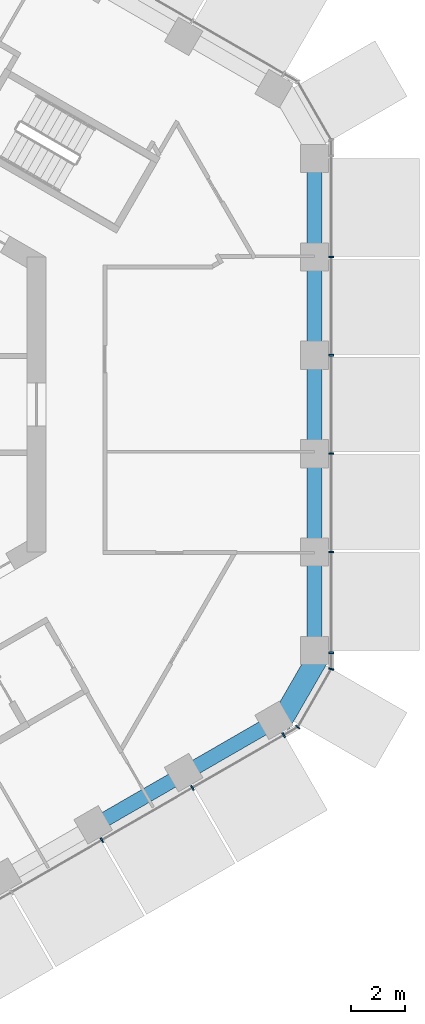
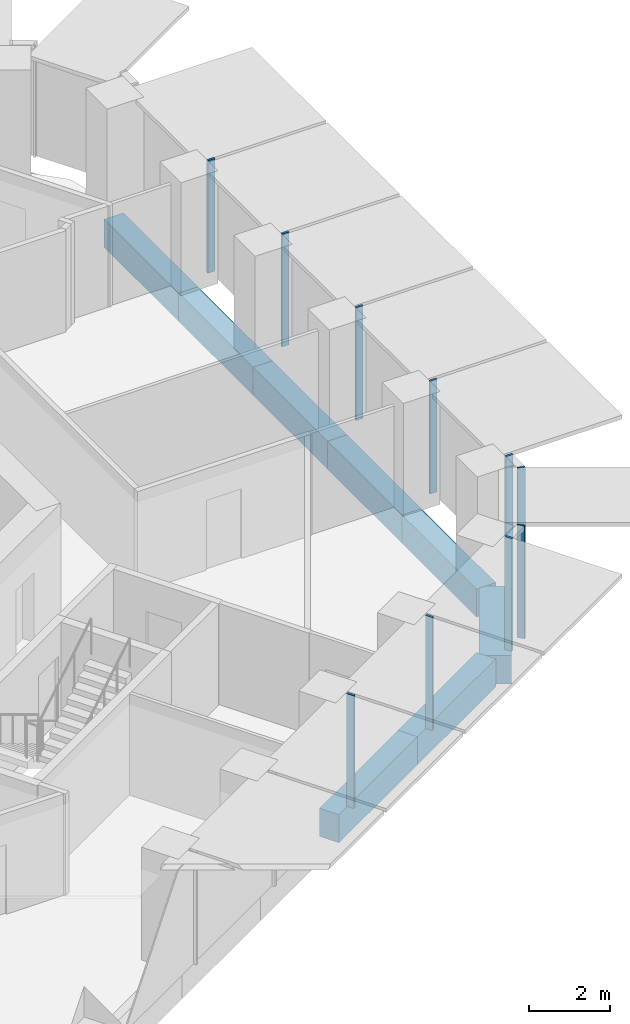
# One storey, part 5 of 19: 10 members, 8 beams, 3 elements without a shape of their own.
"""IFC4 building model written with IfcOpenShell, lengths in metres."""

from ifc_helpers import new_model, si_unit, direction, frame, origin, origin_2d, place, context, subcontext, project, spatial, rectangle, extrude, material, layer, layer_set, material_profile, profile_set, type_object, element, aggregate, save


model = new_model("IFC4")

# Units and contexts
model_context = context("Model", 3, precision=1e-05, world=origin(), true_north=direction((0.0, 1.0)))
body_context = subcontext(model_context, "Body", "Model", "MODEL_VIEW")
ifc_project = project(units=[si_unit("LENGTHUNIT", "METRE"), si_unit("AREAUNIT", "SQUARE_METRE"), si_unit("VOLUMEUNIT", "CUBIC_METRE"), si_unit("PLANEANGLEUNIT", "RADIAN"), si_unit("MASSUNIT", "GRAM", prefix="KILO")], contexts=[model_context])

# Site, building, storey
site_placement = place(None, origin())
site = spatial("IfcSite", under=ifc_project, at=site_placement, CompositionType="ELEMENT")
building_placement = place(site_placement, origin())
building = spatial("IfcBuilding", under=site, at=building_placement, Name="Ayvan Gate Tower", CompositionType="ELEMENT")
storey_placement = place(building_placement, frame((0.0, 0.0, 100.10009765625)))
storey = spatial("IfcBuildingStorey", under=building, at=storey_placement, Name="L26", CompositionType="ELEMENT", Elevation=100.10009765625)

# Beams
ifc_material_1 = material(Name="Concrete C40/50", Category="concrete")
ifc_material_profile_1 = material_profile(ifc_material_1, rectangle(XDim=0.800048828125, YDim=0.85009765625, at=origin_2d()), Name="RC 800x850")
ifc_profile_set_1 = profile_set([ifc_material_profile_1], Name="Concrete C40/50")
beam_type_1 = type_object("IfcBeamType", Name="Corner spandrel beam RC 800x850 C40/50", PredefinedType="BEAM", material=ifc_profile_set_1)
beam_1_placement = place(storey_placement, frame((18.176025390625, -11.89892578125, -0.775146484375), z_axis=(0.50002537861, 0.866010750942, 0.0), x_axis=(-0.866010750942, 0.50002537861, 0.0)))
element("IfcBeam", 1, at=beam_1_placement, inside=storey, type_object=beam_type_1, Name="SB-L26-36", PredefinedType="BEAM", context=body_context, shape_type="SweptSolid", body=[
    extrude(rectangle(XDim=0.800048828125, YDim=0.85009765625, at=origin_2d()), origin(), (0.0, 0.0, 1.0), 2.999755859375),
])
ifc_material_profile_2 = material_profile(ifc_material_1, rectangle(XDim=0.550048828125, YDim=0.85009765625, at=origin_2d()), Name="RC 550x850")
ifc_profile_set_2 = profile_set([ifc_material_profile_2], Name="Concrete C40/50")
beam_type_2 = type_object("IfcBeamType", Name="Spandrel beam RC 550x850 C40/50", PredefinedType="BEAM", material=ifc_profile_set_2)
beam_2_placement = place(storey_placement, frame((19.485595703125, -9.19091796875, -0.775146484375), z_axis=(0.0, 1.0, 0.0), x_axis=(-1.0, 0.0, 0.0)))
element("IfcBeam", 2, at=beam_2_placement, inside=storey, type_object=beam_type_2, Name="SB-L26-1", PredefinedType="BEAM", context=body_context, shape_type="SweptSolid", body=[
    extrude(rectangle(XDim=0.550048828125, YDim=0.85009765625, at=origin_2d()), origin(), (0.0, 0.0, 1.0), 3.67626953125),
])
beam_3_placement = place(storey_placement, frame((19.485595703125, -5.5146484375, -0.775146484375), z_axis=(0.0, 1.0, 0.0), x_axis=(-1.0, 0.0, 0.0)))
element("IfcBeam", 3, at=beam_3_placement, inside=storey, type_object=beam_type_2, Name="SB-L26-2", PredefinedType="BEAM", context=body_context, shape_type="SweptSolid", body=[
    extrude(rectangle(XDim=0.550048828125, YDim=0.85009765625, at=origin_2d()), origin(), (0.0, 0.0, 1.0), 3.676513671875),
])
beam_4_placement = place(storey_placement, frame((19.485595703125, -1.838134765625, -0.775146484375), z_axis=(0.0, 1.0, 0.0), x_axis=(-1.0, 0.0, 0.0)))
element("IfcBeam", 4, at=beam_4_placement, inside=storey, type_object=beam_type_2, Name="SB-L26-3", PredefinedType="BEAM", context=body_context, shape_type="SweptSolid", body=[
    extrude(rectangle(XDim=0.550048828125, YDim=0.85009765625, at=origin_2d()), origin(), (0.0, 0.0, 1.0), 3.67626953125),
])
beam_5_placement = place(storey_placement, frame((19.485595703125, 1.838134765625, -0.775146484375), z_axis=(0.0, 1.0, 0.0), x_axis=(-1.0, 0.0, 0.0)))
element("IfcBeam", 5, at=beam_5_placement, inside=storey, type_object=beam_type_2, Name="SB-L26-4", PredefinedType="BEAM", context=body_context, shape_type="SweptSolid", body=[
    extrude(rectangle(XDim=0.550048828125, YDim=0.85009765625, at=origin_2d()), origin(), (0.0, 0.0, 1.0), 3.676513671875),
])
beam_6_placement = place(storey_placement, frame((19.485595703125, 5.5146484375, -0.775146484375), z_axis=(0.0, 1.0, 0.0), x_axis=(-1.0, 0.0, 0.0)))
element("IfcBeam", 6, at=beam_6_placement, inside=storey, type_object=beam_type_2, Name="SB-L26-5", PredefinedType="BEAM", context=body_context, shape_type="SweptSolid", body=[
    extrude(rectangle(XDim=0.550048828125, YDim=0.85009765625, at=origin_2d()), origin(), (0.0, 0.0, 1.0), 3.67626953125),
])
for number, where, z_axis, x_axis, name in (
    (7, (11.278076171875, -15.66162109375, -0.775146484375), (0.866027059381, 0.499997132412, 0.0), (-0.499997132412, 0.866027059381, 0.0), "SB-L26-34"),
    (8, (14.6318359375, -13.725341796875, -0.775146484375), (0.866027059381, 0.499997132412, 0.0), (-0.499997132412, 0.866027059381, 0.0), "SB-L26-35"),
):
    element("IfcBeam", number, at=place(storey_placement, frame(where, z_axis=z_axis, x_axis=x_axis)), inside=storey, type_object=beam_type_2, Name=name, PredefinedType="BEAM", context=body_context, shape_type="SweptSolid", body=[
        extrude(rectangle(XDim=0.550048828125, YDim=0.85009765625, at=origin_2d()), origin(), (0.0, 0.0, 1.0), 3.87255859375),
    ])

# Curtain wall, members
ifc_material_2 = material(Name="Bronze anodised aluminium", Category="aluminium")
ifc_layer_1 = layer(ifc_material_2, 0.199951171875)
ifc_layer_set_1 = layer_set([ifc_layer_1], Name="Bronze anodised aluminium")
curtain_wall_type_1 = type_object("IfcCurtainWallType", Name="Stick curtain wall CW-1", PredefinedType="NOTDEFINED", material=ifc_layer_set_1)
curtain_wall_1_placement = place(storey_placement, origin())
curtain_wall_1 = element("IfcCurtainWall", 9, at=curtain_wall_1_placement, inside=storey, type_object=curtain_wall_type_1, Name="Stick curtain wall CW-1 L26", PredefinedType="NOTDEFINED")
ifc_material_profile_3 = material_profile(ifc_material_2, rectangle(XDim=0.199951171875, YDim=0.06005859375, at=origin_2d()), Name="Stick curtain wall CW-1 mullion 200 x 60")
ifc_profile_set_3 = profile_set([ifc_material_profile_3], Name="Bronze anodised aluminium")
member_type_1 = type_object("IfcMemberType", Name="Stick curtain wall CW-1 mullion 200 x 60", PredefinedType="MULLION", material=ifc_profile_set_3)
member_1_placement = place(storey_placement, frame((11.58837890625, -16.1884765625, 0.0), z_axis=(0.0, 0.0, 1.0), x_axis=(0.5, -0.866025403784, 0.0)))
member_1 = element("IfcMember", 10, at=member_1_placement, type_object=member_type_1, Name="CW-1 mullion 4", PredefinedType="MULLION", context=body_context, shape_type="SweptSolid", body=[
    extrude(rectangle(XDim=0.199951171875, YDim=0.06005859375, at=origin_2d()), origin(), (0.0, 0.0, 1.0), 3.39990234375),
])
member_2_placement = place(storey_placement, frame((14.9501953125, -14.24755859375, 0.0), z_axis=(0.0, 0.0, 1.0), x_axis=(0.5, -0.866025403784, 0.0)))
member_2 = element("IfcMember", 11, at=member_2_placement, type_object=member_type_1, Name="CW-1 mullion 5", PredefinedType="MULLION", context=body_context, shape_type="SweptSolid", body=[
    extrude(rectangle(XDim=0.199951171875, YDim=0.06005859375, at=origin_2d()), origin(), (0.0, 0.0, 1.0), 3.39990234375),
])
member_3_placement = place(storey_placement, frame((18.34326171875, -12.28857421875, 0.0), z_axis=(0.0, 0.0, 1.0), x_axis=(0.5, -0.866025403784, 0.0)))
member_3 = element("IfcMember", 12, at=member_3_placement, type_object=member_type_1, Name="CW-1 mullion 6", PredefinedType="MULLION", context=body_context, shape_type="SweptSolid", body=[
    extrude(rectangle(XDim=0.199951171875, YDim=0.06005859375, at=origin_2d()), origin(), (0.0, 0.0, 1.0), 3.39990234375),
])
aggregate(curtain_wall_1, [member_1, member_2, member_3])

curtain_wall_2_placement = place(storey_placement, origin())
curtain_wall_2 = element("IfcCurtainWall", 13, at=curtain_wall_2_placement, inside=storey, type_object=curtain_wall_type_1, Name="Stick curtain wall CW-1 L26", PredefinedType="NOTDEFINED")
member_4_placement = place(storey_placement, frame((20.110595703125, -9.2275390625, 0.0), z_axis=(0.0, 0.0, 1.0), x_axis=(1.0, 0.0, 0.0)))
member_4 = element("IfcMember", 14, at=member_4_placement, type_object=member_type_1, Name="CW-1 mullion 1", PredefinedType="MULLION", context=body_context, shape_type="SweptSolid", body=[
    extrude(rectangle(XDim=0.199951171875, YDim=0.06005859375, at=origin_2d()), origin(), (0.0, 0.0, 1.0), 3.39990234375),
])
member_5_placement = place(storey_placement, frame((20.110595703125, -5.484619140625, 0.0), z_axis=(0.0, 0.0, 1.0), x_axis=(1.0, 0.0, 0.0)))
member_5 = element("IfcMember", 15, at=member_5_placement, type_object=member_type_1, Name="CW-1 mullion 2", PredefinedType="MULLION", context=body_context, shape_type="SweptSolid", body=[
    extrude(rectangle(XDim=0.199951171875, YDim=0.06005859375, at=origin_2d()), origin(), (0.0, 0.0, 1.0), 3.39990234375),
])
member_6_placement = place(storey_placement, frame((20.110595703125, -1.82861328125, 0.0), z_axis=(0.0, 0.0, 1.0), x_axis=(1.0, 0.0, 0.0)))
member_6 = element("IfcMember", 16, at=member_6_placement, type_object=member_type_1, Name="CW-1 mullion 3", PredefinedType="MULLION", context=body_context, shape_type="SweptSolid", body=[
    extrude(rectangle(XDim=0.199951171875, YDim=0.06005859375, at=origin_2d()), origin(), (0.0, 0.0, 1.0), 3.39990234375),
])
member_7_placement = place(storey_placement, frame((20.110595703125, 1.828369140625, 0.0), z_axis=(0.0, 0.0, 1.0), x_axis=(1.0, 0.0, 0.0)))
member_7 = element("IfcMember", 17, at=member_7_placement, type_object=member_type_1, Name="CW-1 mullion 4", PredefinedType="MULLION", context=body_context, shape_type="SweptSolid", body=[
    extrude(rectangle(XDim=0.199951171875, YDim=0.06005859375, at=origin_2d()), origin(), (0.0, 0.0, 1.0), 3.39990234375),
])
member_8_placement = place(storey_placement, frame((20.110595703125, 5.484375, 0.0), z_axis=(0.0, 0.0, 1.0), x_axis=(1.0, 0.0, 0.0)))
member_8 = element("IfcMember", 18, at=member_8_placement, type_object=member_type_1, Name="CW-1 mullion 5", PredefinedType="MULLION", context=body_context, shape_type="SweptSolid", body=[
    extrude(rectangle(XDim=0.199951171875, YDim=0.06005859375, at=origin_2d()), origin(), (0.0, 0.0, 1.0), 3.39990234375),
])
aggregate(curtain_wall_2, [member_4, member_5, member_6, member_7, member_8])

ifc_layer_2 = layer(ifc_material_2, 0.199951171875)
ifc_layer_set_2 = layer_set([ifc_layer_2], Name="Bronze anodised aluminium")
curtain_wall_type_2 = type_object("IfcCurtainWallType", Name="Stick curtain wall CW-6", PredefinedType="NOTDEFINED", material=ifc_layer_set_2)
curtain_wall_3_placement = place(storey_placement, origin())
curtain_wall_3 = element("IfcCurtainWall", 19, at=curtain_wall_3_placement, inside=storey, type_object=curtain_wall_type_2, Name="Stick curtain wall CW-6 L26", PredefinedType="NOTDEFINED")
ifc_material_profile_4 = material_profile(ifc_material_2, rectangle(XDim=0.199951171875, YDim=0.050048828125, at=origin_2d()), Name="Stick curtain wall CW-6 mullion 200 x 50")
ifc_profile_set_4 = profile_set([ifc_material_profile_4], Name="Bronze anodised aluminium")
member_type_2 = type_object("IfcMemberType", Name="Stick curtain wall CW-6 mullion 200 x 50", PredefinedType="MULLION", material=ifc_profile_set_4)
member_9_placement = place(storey_placement, frame((18.8671875, -11.986083984375, 0.0), z_axis=(0.0, 0.0, 1.0), x_axis=(0.707106781187, -0.707106781187, 0.0)))
member_9 = element("IfcMember", 20, at=member_9_placement, type_object=member_type_2, Name="CW-6 mullion 2", PredefinedType="MULLION", context=body_context, shape_type="SweptSolid", body=[
    extrude(rectangle(XDim=0.199951171875, YDim=0.050048828125, at=origin_2d()), origin(), (0.0, 0.0, 1.0), 3.39990234375),
])
member_10_placement = place(storey_placement, frame((20.110595703125, -9.83251953125, 0.0), z_axis=(0.0, 0.0, 1.0), x_axis=(0.965925826289, -0.258819045103, 0.0)))
member_10 = element("IfcMember", 21, at=member_10_placement, type_object=member_type_2, Name="CW-6 mullion 3", PredefinedType="MULLION", context=body_context, shape_type="SweptSolid", body=[
    extrude(rectangle(XDim=0.199951171875, YDim=0.050048828125, at=origin_2d()), origin(), (0.0, 0.0, 1.0), 3.39990234375),
])
aggregate(curtain_wall_3, [member_9, member_10])

save(model, "model.ifc")
